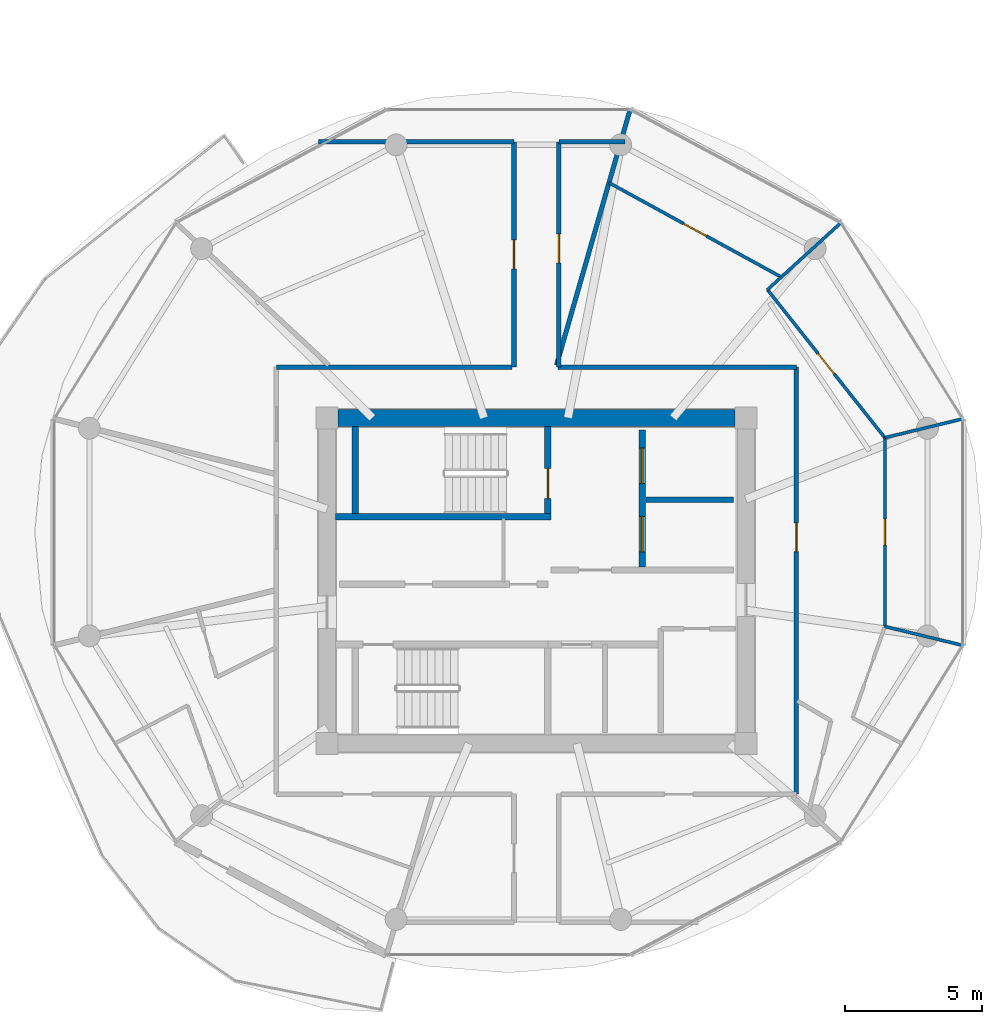
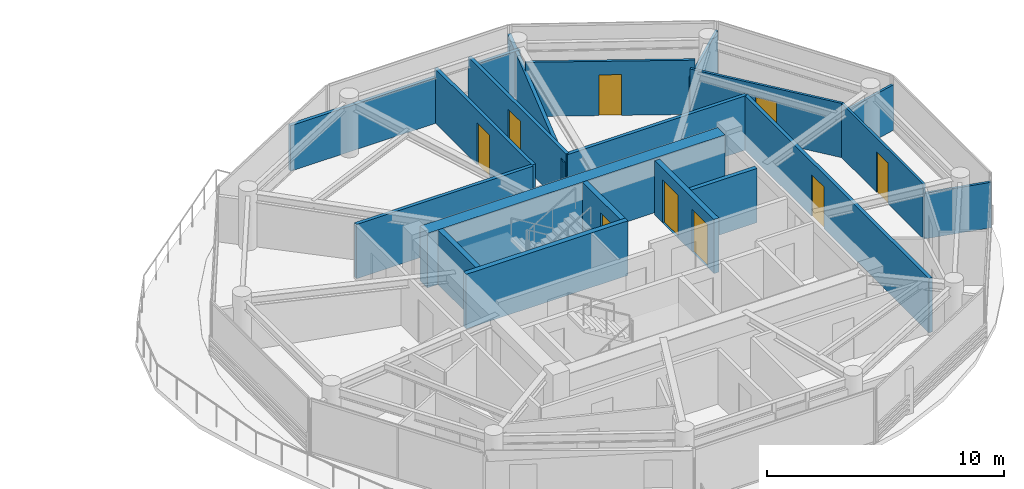
# One storey, part 17 of 21: 20 walls, 9 doors, 9 openings.
"""IFC4 building model written with IfcOpenShell, lengths in metres."""

from ifc_helpers import new_model, si_unit, direction, frame, frame_2d, origin, place, context, subcontext, project, spatial, rectangle, extrude, source, transform, mapped, material, layer, layer_set, type_object, type_shapes, element, fill, save


model = new_model("IFC4")

# Units and contexts
model_context = context("Model", 3, precision=1e-05, world=origin(), true_north=direction((0.0, 1.0)))
body_context = subcontext(model_context, "Body", "Model", "MODEL_VIEW")
ifc_project = project(units=[si_unit("LENGTHUNIT", "METRE"), si_unit("AREAUNIT", "SQUARE_METRE"), si_unit("VOLUMEUNIT", "CUBIC_METRE"), si_unit("PLANEANGLEUNIT", "RADIAN"), si_unit("MASSUNIT", "GRAM", prefix="KILO")], contexts=[model_context])

# Site, building, storey
site_placement = place(None, origin())
site = spatial("IfcSite", under=ifc_project, at=site_placement, CompositionType="ELEMENT")
building_placement = place(site_placement, origin())
building = spatial("IfcBuilding", under=site, at=building_placement, Name="Norrkilde Senior Care Towers", CompositionType="ELEMENT")
storey_placement = place(building_placement, frame((0.0, 0.0, 140.39990234375)))
storey = spatial("IfcBuildingStorey", under=building, at=storey_placement, Name="L43", CompositionType="ELEMENT", Elevation=140.39990234375)

# Walls
ifc_material_1 = material(Name="Concrete C50/60", Category="concrete")
ifc_layer_1 = layer(ifc_material_1, 0.6201171875)
ifc_layer_set_1 = layer_set([ifc_layer_1], Name="Concrete C50/60")
wall_type_1 = type_object("IfcWallType", Name="Core Shear Wall Z3 620", PredefinedType="SHEAR", material=ifc_layer_set_1)
shared_shape_1 = source(origin(), body_context, "Body", "SweptSolid", [
    extrude(rectangle(XDim=14.5, YDim=0.6201171875, at=frame_2d((7.25, 0.0))), origin(), (0.0, 0.0, 1.0), 2.81005859375),
])
type_shapes(wall_type_1, [shared_shape_1])
wall_1_placement = place(storey_placement, frame((20.75, 5.949951171875, 0.0), z_axis=(0.0, 0.0, 1.0), x_axis=(1.0, 0.0, 0.0)))
element("IfcWall", 1, at=wall_1_placement, inside=storey, type_object=wall_type_1, Name="L43 Core E North Shear Wall", PredefinedType="SHEAR", context=body_context, shape_type="MappedRepresentation", body=[
    mapped(shared_shape_1, transform((0.0, 0.0, 0.0), x_axis=(1.0, 0.0, 0.0), y_axis=(0.0, 1.0, 0.0), z_axis=(0.0, 0.0, 1.0), scale=1.0)),
])
ifc_material_2 = material(Name="Concrete C45/55", Category="concrete")
ifc_layer_2 = layer(ifc_material_2, 0.239990234375)
ifc_layer_set_2 = layer_set([ifc_layer_2], Name="Concrete C45/55")
wall_type_2 = type_object("IfcWallType", Name="Shaft and Stair Enclosure Wall 240", PredefinedType="PARTITIONING", material=ifc_layer_set_2)
shared_shape_2 = source(origin(), body_context, "Body", "SweptSolid", [
    extrude(rectangle(XDim=7.880126953125, YDim=0.239990234375, at=frame_2d((3.93994140625, 0.0))), origin(), (0.0, 0.0, 1.0), 2.81005859375),
])
wall_2_placement = place(storey_placement, frame((20.659912109375, 2.330078125, 0.0), z_axis=(0.0, 0.0, 1.0), x_axis=(1.0, 0.0, 0.0)))
element("IfcWall", 2, at=wall_2_placement, inside=storey, type_object=wall_type_2, Name="WL-INT-L43-E-ST1S", PredefinedType="PARTITIONING", context=body_context, shape_type="MappedRepresentation", body=[
    mapped(shared_shape_2, transform((0.0, 0.0, 0.0), x_axis=(1.0, 0.0, 0.0), y_axis=(0.0, 1.0, 0.0), z_axis=(0.0, 0.0, 1.0), scale=1.0)),
])
shared_shape_3 = source(origin(), body_context, "Body", "SweptSolid", [
    extrude(rectangle(XDim=3.18994140625, YDim=0.239990234375, at=frame_2d((1.594970703125, 0.0))), origin(), (0.0, 0.0, 1.0), 2.81005859375),
])
type_shapes(wall_type_2, [shared_shape_2, shared_shape_3])
wall_3_placement = place(storey_placement, frame((21.3798828125, 2.449951171875, 0.0), z_axis=(0.0, 0.0, 1.0), x_axis=(0.0, 1.0, 0.0)))
element("IfcWall", 3, at=wall_3_placement, inside=storey, type_object=wall_type_2, Name="WL-INT-L43-E-ST1W", PredefinedType="PARTITIONING", context=body_context, shape_type="MappedRepresentation", body=[
    mapped(shared_shape_3, transform((0.0, 0.0, 0.0), x_axis=(1.0, 0.0, 0.0), y_axis=(0.0, 1.0, 0.0), z_axis=(0.0, 0.0, 1.0), scale=1.0)),
])

# Wall, opening, door
wall_4_placement = place(storey_placement, frame((28.419921875, 2.449951171875, 0.0), z_axis=(0.0, 0.0, 1.0), x_axis=(0.0, 1.0, 0.0)))
wall_4 = element("IfcWall", 4, at=wall_4_placement, inside=storey, type_object=wall_type_2, Name="WL-INT-L43-E-ST1E", PredefinedType="PARTITIONING", context=body_context, shape_type="MappedRepresentation", body=[
    mapped(shared_shape_3, transform((0.0, 0.0, 0.0), x_axis=(1.0, 0.0, 0.0), y_axis=(0.0, 1.0, 0.0), z_axis=(0.0, 0.0, 1.0), scale=1.0)),
])
opening_1_placement = place(wall_4_placement, frame((0.550048828125, 0.0, 0.0)))
opening_1 = element("IfcOpeningElement", 5, at=opening_1_placement, cuts=wall_4, Name="Opening D-03", PredefinedType="OPENING", context=body_context, shape_type="SweptSolid", body=[
    extrude(rectangle(XDim=1.10009765625, YDim=2.14990234375, at=frame_2d((0.550048828125, 1.074951171875))), frame((0.0, 0.1298828125, 0.0), z_axis=(0.0, -1.0, 0.0), x_axis=(1.0, 0.0, 0.0)), (0.0, 0.0, 1.0), 0.260009765625),
])
ifc_material_3 = material(Name="Galvanised Painted Steel", Category="steel")
door_type_1 = type_object("IfcDoorType", Name="Stairwell Protected Fire Door 1100x2150", OperationType="NOTDEFINED", PredefinedType="DOOR", material=ifc_material_3)
shared_shape_4 = source(origin(), body_context, "Body", "SweptSolid", [
    extrude(rectangle(XDim=1.10009765625, YDim=2.14990234375, at=frame_2d((0.550048828125, 1.074951171875))), frame((0.0, 0.02490234375, 0.0), z_axis=(0.0, -1.0, 0.0), x_axis=(1.0, 0.0, 0.0)), (0.0, 0.0, 1.0), 0.050048828125),
])
type_shapes(door_type_1, [shared_shape_4])
door_1_placement = place(opening_1_placement, origin())
door_1 = element("IfcDoor", 6, at=door_1_placement, inside=storey, type_object=door_type_1, Name="L43 Stair E1 Fire Door", OperationType="SINGLE_SWING_LEFT", OverallHeight=2.14990234375, OverallWidth=1.10009765625, PredefinedType="DOOR", context=body_context, shape_type="MappedRepresentation", body=[
    mapped(shared_shape_4, transform((0.0, 0.0, 0.0), x_axis=(1.0, 0.0, 0.0), y_axis=(0.0, 1.0, 0.0), z_axis=(0.0, 0.0, 1.0), scale=1.0)),
])
fill(opening_1, door_1)

# Wall, openings, doors
ifc_layer_3 = layer(ifc_material_2, 0.239990234375)
ifc_layer_set_3 = layer_set([ifc_layer_3], Name="Concrete C45/55")
wall_type_3 = type_object("IfcWallType", Name="Lift and Plant Rated Enclosure Partition 240", PredefinedType="PARTITIONING", material=ifc_layer_set_3)
shared_shape_5 = source(origin(), body_context, "Body", "SweptSolid", [
    extrude(rectangle(XDim=5.0, YDim=0.239990234375, at=frame_2d((2.5, 0.0))), origin(), (0.0, 0.0, 1.0), 2.795166015625),
])
type_shapes(wall_type_3, [shared_shape_5])
wall_5_placement = place(storey_placement, frame((31.860107421875, 0.5, 0.0), z_axis=(0.0, 0.0, 1.0), x_axis=(0.0, 1.0, 0.0)))
wall_5 = element("IfcWall", 7, at=wall_5_placement, inside=storey, type_object=wall_type_3, Name="WL-INT-L43-E-FFLE", PredefinedType="PARTITIONING", context=body_context, shape_type="MappedRepresentation", body=[
    mapped(shared_shape_5, transform((0.0, 0.0, 0.0), x_axis=(1.0, 0.0, 0.0), y_axis=(0.0, 1.0, 0.0), z_axis=(0.0, 0.0, 1.0), scale=1.0)),
])
opening_2_placement = place(wall_5_placement, frame((3.050048828125, 0.0, 0.0)))
opening_2 = element("IfcOpeningElement", 8, at=opening_2_placement, cuts=wall_5, Name="Opening LD-02", PredefinedType="OPENING", context=body_context, shape_type="SweptSolid", body=[
    extrude(rectangle(XDim=1.300048828125, YDim=2.199951171875, at=frame_2d((0.64990234375, 1.10009765625))), frame((0.0, 0.1298828125, 0.0), z_axis=(0.0, -1.0, 0.0), x_axis=(1.0, 0.0, 0.0)), (0.0, 0.0, 1.0), 0.260009765625),
])
opening_3_placement = place(wall_5_placement, frame((0.550048828125, 0.0, 0.0)))
opening_3 = element("IfcOpeningElement", 9, at=opening_3_placement, cuts=wall_5, Name="Opening LD-02", PredefinedType="OPENING", context=body_context, shape_type="SweptSolid", body=[
    extrude(rectangle(XDim=1.300048828125, YDim=2.199951171875, at=frame_2d((0.64990234375, 1.10009765625))), frame((0.0, 0.1298828125, 0.0), z_axis=(0.0, -1.0, 0.0), x_axis=(1.0, 0.0, 0.0)), (0.0, 0.0, 1.0), 0.260009765625),
])
ifc_material_4 = material(Name="Stainless Steel", Category="steel")
door_type_2 = type_object("IfcDoorType", Name="Stretcher and FFL Landing Sliding Door 1300x2200", OperationType="NOTDEFINED", PredefinedType="DOOR", material=ifc_material_4)
shared_shape_6 = source(origin(), body_context, "Body", "SweptSolid", [
    extrude(rectangle(XDim=1.300048828125, YDim=2.199951171875, at=frame_2d((0.64990234375, 1.10009765625))), frame((0.0, 0.02490234375, 0.0), z_axis=(0.0, -1.0, 0.0), x_axis=(1.0, 0.0, 0.0)), (0.0, 0.0, 1.0), 0.050048828125),
])
type_shapes(door_type_2, [shared_shape_6])
door_2_placement = place(opening_2_placement, origin())
door_2 = element("IfcDoor", 10, at=door_2_placement, inside=storey, type_object=door_type_2, Name="L43 Firefighting Lift E1 Landing Door", OperationType="SLIDING_TO_LEFT", OverallHeight=2.199951171875, OverallWidth=1.300048828125, PredefinedType="DOOR", context=body_context, shape_type="MappedRepresentation", body=[
    mapped(shared_shape_6, transform((0.0, 0.0, 0.0), x_axis=(1.0, 0.0, 0.0), y_axis=(0.0, 1.0, 0.0), z_axis=(0.0, 0.0, 1.0), scale=1.0)),
])
fill(opening_2, door_2)
door_3_placement = place(opening_3_placement, origin())
door_3 = element("IfcDoor", 11, at=door_3_placement, inside=storey, type_object=door_type_2, Name="L43 Stretcher Lift E1 Landing Door", OperationType="SLIDING_TO_RIGHT", OverallHeight=2.199951171875, OverallWidth=1.300048828125, PredefinedType="DOOR", context=body_context, shape_type="MappedRepresentation", body=[
    mapped(shared_shape_6, transform((0.0, 0.0, 0.0), x_axis=(1.0, 0.0, 0.0), y_axis=(0.0, 1.0, 0.0), z_axis=(0.0, 0.0, 1.0), scale=1.0)),
])
fill(opening_3, door_3)

# Walls
ifc_layer_4 = layer(ifc_material_2, 0.199951171875)
ifc_layer_set_4 = layer_set([ifc_layer_4], Name="Concrete C45/55")
wall_type_4 = type_object("IfcWallType", Name="Shaft Division and Plant Partition 200", PredefinedType="PARTITIONING", material=ifc_layer_set_4)
shared_shape_7 = source(origin(), body_context, "Body", "SweptSolid", [
    extrude(rectangle(XDim=3.199951171875, YDim=0.199951171875, at=frame_2d((1.60009765625, 0.0))), origin(), (0.0, 0.0, 1.0), 2.795166015625),
])
type_shapes(wall_type_4, [shared_shape_7])
wall_6_placement = place(storey_placement, frame((32.0, 2.949951171875, 0.0), z_axis=(0.0, 0.0, 1.0), x_axis=(1.0, 0.0, 0.0)))
element("IfcWall", 12, at=wall_6_placement, inside=storey, type_object=wall_type_4, Name="WL-INT-L43-E-FFLDIV", PredefinedType="PARTITIONING", context=body_context, shape_type="MappedRepresentation", body=[
    mapped(shared_shape_7, transform((0.0, 0.0, 0.0), x_axis=(1.0, 0.0, 0.0), y_axis=(0.0, 1.0, 0.0), z_axis=(0.0, 0.0, 1.0), scale=1.0)),
])
ifc_material_5 = material(Name="Gypsum Acoustic Board")
ifc_layer_5 = layer(ifc_material_5, 0.1650390625)
ifc_layer_set_5 = layer_set([ifc_layer_5], Name="Gypsum Acoustic Board")
wall_type_5 = type_object("IfcWallType", Name="Corridor Rated Partition 165", PredefinedType="PARTITIONING", material=ifc_layer_set_5)
shared_shape_8 = source(origin(), body_context, "Body", "SweptSolid", [
    extrude(rectangle(XDim=8.60009765625, YDim=0.1650390625, at=frame_2d((4.300048828125, 0.0))), origin(), (0.0, 0.0, 1.0), 2.795166015625),
])
wall_7_placement = place(storey_placement, frame((18.5, 7.800048828125, 0.0), z_axis=(0.0, 0.0, 1.0), x_axis=(1.0, 0.0, 0.0)))
element("IfcWall", 13, at=wall_7_placement, inside=storey, type_object=wall_type_5, Name="WL-INT-L43-E-CRW-N-0", PredefinedType="PARTITIONING", context=body_context, shape_type="MappedRepresentation", body=[
    mapped(shared_shape_8, transform((0.0, 0.0, 0.0), x_axis=(1.0, 0.0, 0.0), y_axis=(0.0, 1.0, 0.0), z_axis=(0.0, 0.0, 1.0), scale=1.0)),
])

# Wall, opening, door
shared_shape_9 = source(origin(), body_context, "Body", "SweptSolid", [
    extrude(rectangle(XDim=15.60009765625, YDim=0.1650390625, at=frame_2d((7.800048828125, 0.0))), origin(), (0.0, 0.0, 1.0), 2.795166015625),
])
wall_8_placement = place(storey_placement, frame((37.5, 7.800048828125, 0.0), z_axis=(0.0, 0.0, 1.0), x_axis=(0.0, -1.0, 0.0)))
wall_8 = element("IfcWall", 14, at=wall_8_placement, inside=storey, type_object=wall_type_5, Name="WL-INT-L43-E-CRW-E-0", PredefinedType="PARTITIONING", context=body_context, shape_type="MappedRepresentation", body=[
    mapped(shared_shape_9, transform((0.0, 0.0, 0.0), x_axis=(1.0, 0.0, 0.0), y_axis=(0.0, 1.0, 0.0), z_axis=(0.0, 0.0, 1.0), scale=1.0)),
])
opening_4_placement = place(wall_8_placement, frame((5.6865234375, 0.0, 0.0)))
opening_4 = element("IfcOpeningElement", 15, at=opening_4_placement, cuts=wall_8, Name="Opening D-06", PredefinedType="OPENING", context=body_context, shape_type="SweptSolid", body=[
    extrude(rectangle(XDim=1.050048828125, YDim=2.14990234375, at=frame_2d((0.52490234375, 1.074951171875))), frame((0.0, 0.092529296875, 0.0), z_axis=(0.0, -1.0, 0.0), x_axis=(1.0, 0.0, 0.0)), (0.0, 0.0, 1.0), 0.18505859375),
])
ifc_material_6 = material(Name="Nordic Ash Timber", Category="wood")
door_type_3 = type_object("IfcDoorType", Name="Apartment Entrance Fire Door 1050x2150", OperationType="NOTDEFINED", PredefinedType="DOOR", material=ifc_material_6)
shared_shape_10 = source(origin(), body_context, "Body", "SweptSolid", [
    extrude(rectangle(XDim=1.050048828125, YDim=2.14990234375, at=frame_2d((0.52490234375, 1.074951171875))), frame((0.0, 0.02490234375, 0.0), z_axis=(0.0, -1.0, 0.0), x_axis=(1.0, 0.0, 0.0)), (0.0, 0.0, 1.0), 0.050048828125),
])
type_shapes(door_type_3, [shared_shape_10])
door_4_placement = place(opening_4_placement, frame((1.050048828125, 0.0, 0.0), z_axis=(0.0, 0.0, 1.0), x_axis=(-1.0, 0.0, 0.0)))
door_4 = element("IfcDoor", 16, at=door_4_placement, inside=storey, type_object=door_type_3, Name="Apartment 43D Entrance Door", OperationType="SINGLE_SWING_LEFT", OverallHeight=2.14990234375, OverallWidth=1.050048828125, PredefinedType="DOOR", context=body_context, shape_type="MappedRepresentation", body=[
    mapped(shared_shape_10, transform((0.0, 0.0, 0.0), x_axis=(1.0, 0.0, 0.0), y_axis=(0.0, 1.0, 0.0), z_axis=(0.0, 0.0, 1.0), scale=1.0)),
])
fill(opening_4, door_4)

# Wall
shared_shape_11 = source(origin(), body_context, "Body", "SweptSolid", [
    extrude(rectangle(XDim=9.73046875, YDim=0.1650390625, at=frame_2d((4.865234375, 0.0))), origin(), (0.0, 0.0, 1.0), 2.34521484375),
])
wall_9_placement = place(storey_placement, frame((28.7333984375, 7.8798828125, 0.0), z_axis=(0.0, 0.0, 1.0), x_axis=(0.27679492614, 0.960929013436, 0.0)))
element("IfcWall", 17, at=wall_9_placement, inside=storey, type_object=wall_type_5, Name="WL-INT-L43-E-DEM-02-0", PredefinedType="PARTITIONING", context=body_context, shape_type="MappedRepresentation", body=[
    mapped(shared_shape_11, transform((0.0, 0.0, 0.0), x_axis=(1.0, 0.0, 0.0), y_axis=(0.0, 1.0, 0.0), z_axis=(0.0, 0.0, 1.0), scale=1.0)),
])

# Wall, opening, door
shared_shape_12 = source(origin(), body_context, "Body", "SweptSolid", [
    extrude(rectangle(XDim=8.2353515625, YDim=0.1650390625, at=frame_2d((4.11767578125, 0.0))), origin(), (0.0, 0.0, 1.0), 2.795166015625),
])
wall_10_placement = place(storey_placement, frame((27.179931640625, 7.800048828125, 0.0), z_axis=(0.0, 0.0, 1.0), x_axis=(0.0, 1.0, 0.0)))
wall_10 = element("IfcWall", 18, at=wall_10_placement, inside=storey, type_object=wall_type_5, Name="WL-INT-L43-E-PKW-NWL", PredefinedType="PARTITIONING", context=body_context, shape_type="MappedRepresentation", body=[
    mapped(shared_shape_12, transform((0.0, 0.0, 0.0), x_axis=(1.0, 0.0, 0.0), y_axis=(0.0, 1.0, 0.0), z_axis=(0.0, 0.0, 1.0), scale=1.0)),
])
opening_5_placement = place(wall_10_placement, frame((3.5927734375, 0.0, 0.0)))
opening_5 = element("IfcOpeningElement", 19, at=opening_5_placement, cuts=wall_10, Name="Opening D-06", PredefinedType="OPENING", context=body_context, shape_type="SweptSolid", body=[
    extrude(rectangle(XDim=1.050048828125, YDim=2.14990234375, at=frame_2d((0.52490234375, 1.074951171875))), frame((0.0, 0.092529296875, 0.0), z_axis=(0.0, -1.0, 0.0), x_axis=(1.0, 0.0, 0.0)), (0.0, 0.0, 1.0), 0.18505859375),
])
door_5_placement = place(opening_5_placement, frame((1.050048828125, 0.0, 0.0), z_axis=(0.0, 0.0, 1.0), x_axis=(-1.0, 0.0, 0.0)))
door_5 = element("IfcDoor", 20, at=door_5_placement, inside=storey, type_object=door_type_3, Name="L43 Reading Lounge NWL Door", OperationType="SINGLE_SWING_RIGHT", OverallHeight=2.14990234375, OverallWidth=1.050048828125, PredefinedType="DOOR", context=body_context, shape_type="MappedRepresentation", body=[
    mapped(shared_shape_10, transform((0.0, 0.0, 0.0), x_axis=(1.0, 0.0, 0.0), y_axis=(0.0, 1.0, 0.0), z_axis=(0.0, 0.0, 1.0), scale=1.0)),
])
fill(opening_5, door_5)

wall_11_placement = place(storey_placement, frame((28.820068359375, 7.800048828125, 0.0), z_axis=(0.0, 0.0, 1.0), x_axis=(0.0, 1.0, 0.0)))
wall_11 = element("IfcWall", 21, at=wall_11_placement, inside=storey, type_object=wall_type_5, Name="WL-INT-L43-E-PKW-NEL", PredefinedType="PARTITIONING", context=body_context, shape_type="MappedRepresentation", body=[
    mapped(shared_shape_12, transform((0.0, 0.0, 0.0), x_axis=(1.0, 0.0, 0.0), y_axis=(0.0, 1.0, 0.0), z_axis=(0.0, 0.0, 1.0), scale=1.0)),
])
opening_6_placement = place(wall_11_placement, frame((3.81298828125, 0.0, 0.0)))
opening_6 = element("IfcOpeningElement", 22, at=opening_6_placement, cuts=wall_11, Name="Opening D-06", PredefinedType="OPENING", context=body_context, shape_type="SweptSolid", body=[
    extrude(rectangle(XDim=1.050048828125, YDim=2.14990234375, at=frame_2d((0.52490234375, 1.074951171875))), frame((0.0, 0.092529296875, 0.0), z_axis=(0.0, -1.0, 0.0), x_axis=(1.0, 0.0, 0.0)), (0.0, 0.0, 1.0), 0.18505859375),
])
door_6_placement = place(opening_6_placement, frame((1.050048828125, 0.0, 0.0), z_axis=(0.0, 0.0, 1.0), x_axis=(-1.0, 0.0, 0.0)))
door_6 = element("IfcDoor", 23, at=door_6_placement, inside=storey, type_object=door_type_3, Name="L43 Reading Lounge NEL Door", OperationType="SINGLE_SWING_RIGHT", OverallHeight=2.14990234375, OverallWidth=1.050048828125, PredefinedType="DOOR", context=body_context, shape_type="MappedRepresentation", body=[
    mapped(shared_shape_10, transform((0.0, 0.0, 0.0), x_axis=(1.0, 0.0, 0.0), y_axis=(0.0, 1.0, 0.0), z_axis=(0.0, 0.0, 1.0), scale=1.0)),
])
fill(opening_6, door_6)

# Walls
shared_shape_13 = source(origin(), body_context, "Body", "SweptSolid", [
    extrude(rectangle(XDim=2.418701171875, YDim=0.1650390625, at=frame_2d((1.20947265625, 0.0))), origin(), (0.0, 0.0, 1.0), 2.34521484375),
])
wall_12_placement = place(storey_placement, frame((28.820068359375, 16.035400390625, 0.0), z_axis=(0.0, 0.0, 1.0), x_axis=(1.0, 0.0, 0.0)))
element("IfcWall", 24, at=wall_12_placement, inside=storey, type_object=wall_type_5, Name="WL-INT-L43-E-PKH-NEL-0", PredefinedType="PARTITIONING", context=body_context, shape_type="MappedRepresentation", body=[
    mapped(shared_shape_13, transform((0.0, 0.0, 0.0), x_axis=(1.0, 0.0, 0.0), y_axis=(0.0, 1.0, 0.0), z_axis=(0.0, 0.0, 1.0), scale=1.0)),
])
shared_shape_14 = source(origin(), body_context, "Body", "SweptSolid", [
    extrude(rectangle(XDim=7.138916015625, YDim=0.1650390625, at=frame_2d((3.5693359375, 0.0))), origin(), (0.0, 0.0, 1.0), 2.34521484375),
])
wall_13_placement = place(storey_placement, frame((20.041015625, 16.035400390625, 0.0), z_axis=(0.0, 0.0, 1.0), x_axis=(1.0, 0.0, 0.0)))
element("IfcWall", 25, at=wall_13_placement, inside=storey, type_object=wall_type_5, Name="WL-INT-L43-E-PKH-NWL-0", PredefinedType="PARTITIONING", context=body_context, shape_type="MappedRepresentation", body=[
    mapped(shared_shape_14, transform((0.0, 0.0, 0.0), x_axis=(1.0, 0.0, 0.0), y_axis=(0.0, 1.0, 0.0), z_axis=(0.0, 0.0, 1.0), scale=1.0)),
])
shared_shape_15 = source(origin(), body_context, "Body", "SweptSolid", [
    extrude(rectangle(XDim=8.719482421875, YDim=0.1650390625, at=frame_2d((4.35986328125, 0.0))), origin(), (0.0, 0.0, 1.0), 2.795166015625),
])
type_shapes(wall_type_5, [shared_shape_8, shared_shape_9, shared_shape_11, shared_shape_12, shared_shape_13, shared_shape_14, shared_shape_15])
wall_14_placement = place(storey_placement, frame((28.780517578125, 7.800048828125, 0.0), z_axis=(0.0, 0.0, 1.0), x_axis=(1.0, 0.0, 0.0)))
element("IfcWall", 26, at=wall_14_placement, inside=storey, type_object=wall_type_5, Name="WL-INT-L43-E-CRW-N-1", PredefinedType="PARTITIONING", context=body_context, shape_type="MappedRepresentation", body=[
    mapped(shared_shape_15, transform((0.0, 0.0, 0.0), x_axis=(1.0, 0.0, 0.0), y_axis=(0.0, 1.0, 0.0), z_axis=(0.0, 0.0, 1.0), scale=1.0)),
])

# Wall, opening, door
ifc_layer_6 = layer(ifc_material_5, 0.114990234375)
ifc_layer_set_6 = layer_set([ifc_layer_6], Name="Gypsum Acoustic Board")
wall_type_6 = type_object("IfcWallType", Name="Internal Room Partition 115", PredefinedType="PARTITIONING", material=ifc_layer_set_6)
shared_shape_16 = source(origin(), body_context, "Body", "SweptSolid", [
    extrude(rectangle(XDim=6.89697265625, YDim=0.114990234375, at=frame_2d((3.448486328125, 0.0))), origin(), (0.0, 0.0, 1.0), 2.795166015625),
])
wall_15_placement = place(storey_placement, frame((40.73046875, -1.673095703125, 0.0), z_axis=(0.0, 0.0, 1.0), x_axis=(0.0, 1.0, 0.0)))
wall_15 = element("IfcWall", 27, at=wall_15_placement, inside=storey, type_object=wall_type_6, Name="WL-INT-L43-E-UBC-10-1", PredefinedType="PARTITIONING", context=body_context, shape_type="MappedRepresentation", body=[
    mapped(shared_shape_16, transform((0.0, 0.0, 0.0), x_axis=(1.0, 0.0, 0.0), y_axis=(0.0, 1.0, 0.0), z_axis=(0.0, 0.0, 1.0), scale=1.0)),
])
opening_7_placement = place(wall_15_placement, frame((2.973388671875, 0.0, 0.0)))
opening_7 = element("IfcOpeningElement", 28, at=opening_7_placement, cuts=wall_15, Name="Opening D-07", PredefinedType="OPENING", context=body_context, shape_type="SweptSolid", body=[
    extrude(rectangle(XDim=0.949951171875, YDim=2.10009765625, at=frame_2d((0.47509765625, 1.050048828125))), frame((0.0, 0.0673828125, 0.0), z_axis=(0.0, -1.0, 0.0), x_axis=(1.0, 0.0, 0.0)), (0.0, 0.0, 1.0), 0.135009765625),
])
door_type_4 = type_object("IfcDoorType", Name="Internal Suite Bedroom Door 950x2100", OperationType="NOTDEFINED", PredefinedType="DOOR", material=ifc_material_6)
shared_shape_17 = source(origin(), body_context, "Body", "SweptSolid", [
    extrude(rectangle(XDim=0.949951171875, YDim=2.10009765625, at=frame_2d((0.47509765625, 1.050048828125))), frame((0.0, 0.02490234375, 0.0), z_axis=(0.0, -1.0, 0.0), x_axis=(1.0, 0.0, 0.0)), (0.0, 0.0, 1.0), 0.050048828125),
])
type_shapes(door_type_4, [shared_shape_17])
door_7_placement = place(opening_7_placement, origin())
door_7 = element("IfcDoor", 29, at=door_7_placement, inside=storey, type_object=door_type_4, Name="Apartment 43D Bedroom 1 Door", OperationType="SINGLE_SWING_RIGHT", OverallHeight=2.10009765625, OverallWidth=0.949951171875, PredefinedType="DOOR", context=body_context, shape_type="MappedRepresentation", body=[
    mapped(shared_shape_17, transform((0.0, 0.0, 0.0), x_axis=(1.0, 0.0, 0.0), y_axis=(0.0, 1.0, 0.0), z_axis=(0.0, 0.0, 1.0), scale=1.0)),
])
fill(opening_7, door_7)

# Wall
shared_shape_18 = source(origin(), body_context, "Body", "SweptSolid", [
    extrude(rectangle(XDim=2.941162109375, YDim=0.114990234375, at=frame_2d((1.470703125, 0.0))), origin(), (0.0, 0.0, 1.0), 2.34521484375),
])
wall_16_placement = place(storey_placement, frame((40.73046875, -1.673095703125, 0.0), z_axis=(0.0, 0.0, 1.0), x_axis=(0.971874866371, -0.235497864357, 0.0)))
element("IfcWall", 30, at=wall_16_placement, inside=storey, type_object=wall_type_6, Name="WL-INT-L43-E-UBR-10-1", PredefinedType="PARTITIONING", context=body_context, shape_type="MappedRepresentation", body=[
    mapped(shared_shape_18, transform((0.0, 0.0, 0.0), x_axis=(1.0, 0.0, 0.0), y_axis=(0.0, 1.0, 0.0), z_axis=(0.0, 0.0, 1.0), scale=1.0)),
])

# Wall, opening, door
shared_shape_19 = source(origin(), body_context, "Body", "SweptSolid", [
    extrude(rectangle(XDim=6.902099609375, YDim=0.114990234375, at=frame_2d((3.451171875, 0.0))), origin(), (0.0, 0.0, 1.0), 2.795166015625),
])
wall_17_placement = place(storey_placement, frame((40.72900390625, 5.223388671875, 0.0), z_axis=(0.0, 0.0, 1.0), x_axis=(-0.62123371778, 0.783625336429, 0.0)))
wall_17 = element("IfcWall", 31, at=wall_17_placement, inside=storey, type_object=wall_type_6, Name="WL-INT-L43-E-UBC-10-2", PredefinedType="PARTITIONING", context=body_context, shape_type="MappedRepresentation", body=[
    mapped(shared_shape_19, transform((0.0, 0.0, 0.0), x_axis=(1.0, 0.0, 0.0), y_axis=(0.0, 1.0, 0.0), z_axis=(0.0, 0.0, 1.0), scale=1.0)),
])
opening_8_placement = place(wall_17_placement, frame((2.97607421875, 0.0, 0.0)))
opening_8 = element("IfcOpeningElement", 32, at=opening_8_placement, cuts=wall_17, Name="Opening D-07", PredefinedType="OPENING", context=body_context, shape_type="SweptSolid", body=[
    extrude(rectangle(XDim=0.949951171875, YDim=2.10009765625, at=frame_2d((0.47509765625, 1.050048828125))), frame((0.0, 0.0673828125, 0.0), z_axis=(0.0, -1.0, 0.0), x_axis=(1.0, 0.0, 0.0)), (0.0, 0.0, 1.0), 0.135009765625),
])
door_8_placement = place(opening_8_placement, frame((0.949951171875, 0.0, 0.0), z_axis=(0.0, 0.0, 1.0), x_axis=(-1.0, 0.0, 0.0)))
door_8 = element("IfcDoor", 33, at=door_8_placement, inside=storey, type_object=door_type_4, Name="Apartment 43D Bedroom 2 Door", OperationType="SINGLE_SWING_LEFT", OverallHeight=2.10009765625, OverallWidth=0.949951171875, PredefinedType="DOOR", context=body_context, shape_type="MappedRepresentation", body=[
    mapped(shared_shape_17, transform((0.0, 0.0, 0.0), x_axis=(1.0, 0.0, 0.0), y_axis=(0.0, 1.0, 0.0), z_axis=(0.0, 0.0, 1.0), scale=1.0)),
])
fill(opening_8, door_8)

# Wall
shared_shape_20 = source(origin(), body_context, "Body", "SweptSolid", [
    extrude(rectangle(XDim=2.942626953125, YDim=0.114990234375, at=frame_2d((1.47119140625, 0.0))), origin(), (0.0, 0.0, 1.0), 2.34521484375),
])
wall_18_placement = place(storey_placement, frame((40.72900390625, 5.223388671875, 0.0), z_axis=(0.0, 0.0, 1.0), x_axis=(0.971864495214, 0.235540660911, 0.0)))
element("IfcWall", 34, at=wall_18_placement, inside=storey, type_object=wall_type_6, Name="WL-INT-L43-E-UBR-10-2", PredefinedType="PARTITIONING", context=body_context, shape_type="MappedRepresentation", body=[
    mapped(shared_shape_20, transform((0.0, 0.0, 0.0), x_axis=(1.0, 0.0, 0.0), y_axis=(0.0, 1.0, 0.0), z_axis=(0.0, 0.0, 1.0), scale=1.0)),
])

# Wall, opening, door
shared_shape_21 = source(origin(), body_context, "Body", "SweptSolid", [
    extrude(rectangle(XDim=7.166748046875, YDim=0.114990234375, at=frame_2d((3.58349609375, 0.0))), origin(), (0.0, 0.0, 1.0), 2.795166015625),
])
wall_19_placement = place(storey_placement, frame((36.93896484375, 11.097900390625, 0.0), z_axis=(0.0, 0.0, 1.0), x_axis=(-0.8771628907, 0.480192943699, 0.0)))
wall_19 = element("IfcWall", 35, at=wall_19_placement, inside=storey, type_object=wall_type_6, Name="WL-INT-L43-E-UBC-10-3", PredefinedType="PARTITIONING", context=body_context, shape_type="MappedRepresentation", body=[
    mapped(shared_shape_21, transform((0.0, 0.0, 0.0), x_axis=(1.0, 0.0, 0.0), y_axis=(0.0, 1.0, 0.0), z_axis=(0.0, 0.0, 1.0), scale=1.0)),
])
opening_9_placement = place(wall_19_placement, frame((3.1083984375, 0.0, 0.0)))
opening_9 = element("IfcOpeningElement", 36, at=opening_9_placement, cuts=wall_19, Name="Opening D-07", PredefinedType="OPENING", context=body_context, shape_type="SweptSolid", body=[
    extrude(rectangle(XDim=0.949951171875, YDim=2.10009765625, at=frame_2d((0.47509765625, 1.050048828125))), frame((0.0, 0.0673828125, 0.0), z_axis=(0.0, -1.0, 0.0), x_axis=(1.0, 0.0, 0.0)), (0.0, 0.0, 1.0), 0.135009765625),
])
door_9_placement = place(opening_9_placement, origin())
door_9 = element("IfcDoor", 37, at=door_9_placement, inside=storey, type_object=door_type_4, Name="Apartment 43D Bedroom 3 Door", OperationType="SINGLE_SWING_RIGHT", OverallHeight=2.10009765625, OverallWidth=0.949951171875, PredefinedType="DOOR", context=body_context, shape_type="MappedRepresentation", body=[
    mapped(shared_shape_17, transform((0.0, 0.0, 0.0), x_axis=(1.0, 0.0, 0.0), y_axis=(0.0, 1.0, 0.0), z_axis=(0.0, 0.0, 1.0), scale=1.0)),
])
fill(opening_9, door_9)

# Wall
shared_shape_22 = source(origin(), body_context, "Body", "SweptSolid", [
    extrude(rectangle(XDim=3.660400390625, YDim=0.114990234375, at=frame_2d((1.830078125, 0.0))), origin(), (0.0, 0.0, 1.0), 2.34521484375),
])
type_shapes(wall_type_6, [shared_shape_16, shared_shape_18, shared_shape_19, shared_shape_20, shared_shape_21, shared_shape_22])
wall_20_placement = place(storey_placement, frame((36.431884765625, 10.62353515625, 0.0), z_axis=(0.0, 0.0, 1.0), x_axis=(0.73909744987, 0.673598515137, 0.0)))
element("IfcWall", 38, at=wall_20_placement, inside=storey, type_object=wall_type_6, Name="WL-INT-L43-E-UBR-10-3", PredefinedType="PARTITIONING", context=body_context, shape_type="MappedRepresentation", body=[
    mapped(shared_shape_22, transform((0.0, 0.0, 0.0), x_axis=(1.0, 0.0, 0.0), y_axis=(0.0, 1.0, 0.0), z_axis=(0.0, 0.0, 1.0), scale=1.0)),
])

save(model, "model.ifc")
